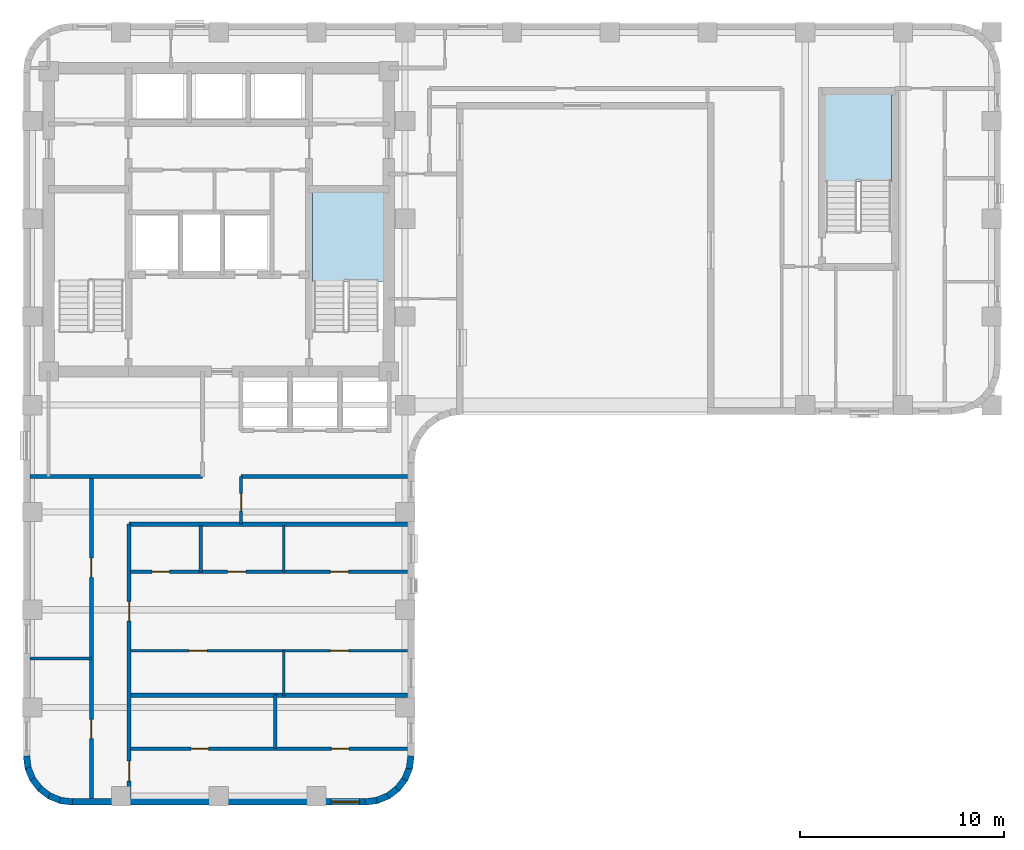
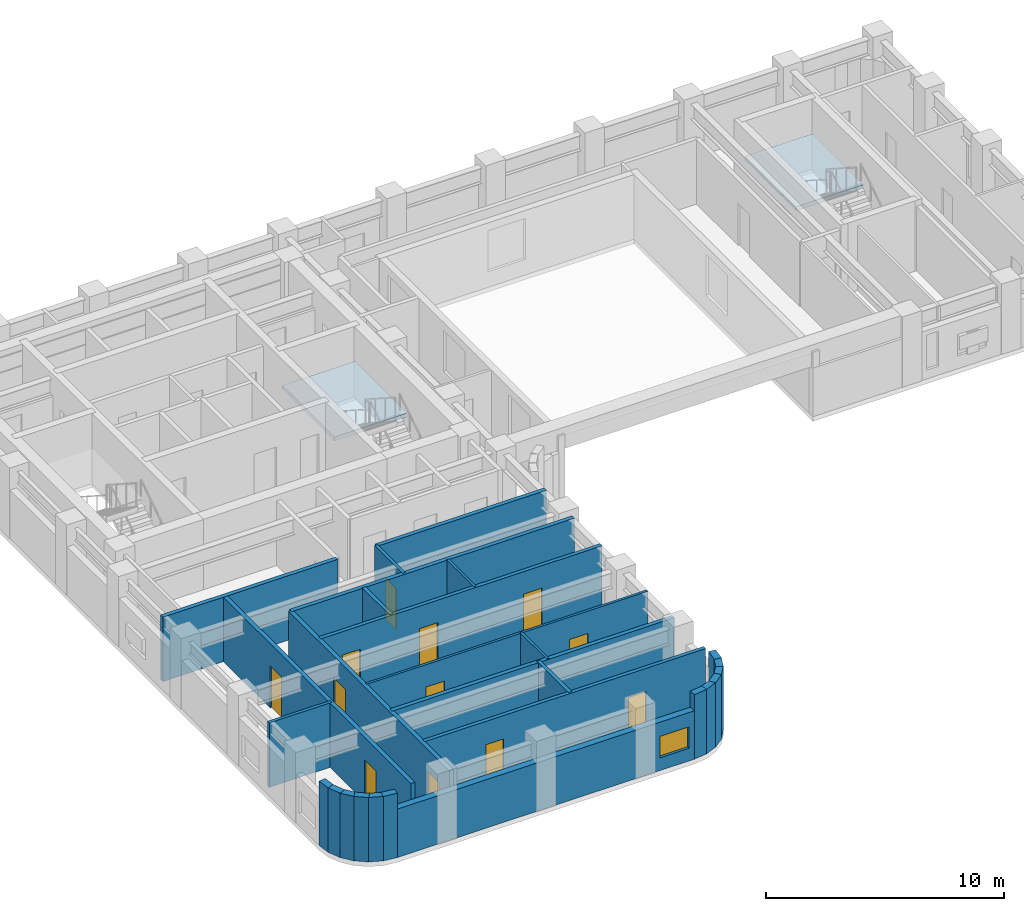
# One storey, part 2 of 9: 28 walls, 12 doors, 2 slabs, 1 window, 13 openings, 2 elements without a shape of their own.
"""IFC4 building model written with IfcOpenShell, lengths in metres."""

from ifc_helpers import new_model, si_unit, direction, frame, frame_2d, origin, place, context, subcontext, project, spatial, polyline, rectangle, outline, extrude, material, layer, layer_set, type_object, element, fill, aggregate, save


model = new_model("IFC4")

# Units and contexts
model_context = context("Model", 3, precision=1e-05, world=origin(), true_north=direction((0.0, 1.0)))
body_context = subcontext(model_context, "Body", "Model", "MODEL_VIEW")
ifc_project = project(units=[si_unit("LENGTHUNIT", "METRE"), si_unit("AREAUNIT", "SQUARE_METRE"), si_unit("VOLUMEUNIT", "CUBIC_METRE"), si_unit("PLANEANGLEUNIT", "RADIAN"), si_unit("MASSUNIT", "GRAM", prefix="KILO")], contexts=[model_context])

# Site, building, storey
site_placement = place(None, origin())
site = spatial("IfcSite", under=ifc_project, at=site_placement, CompositionType="ELEMENT")
building_placement = place(site_placement, origin())
building = spatial("IfcBuilding", under=site, at=building_placement, Name="Orvandelia Arch Residences", CompositionType="ELEMENT")
storey_placement = place(building_placement, frame((0.0, 0.0, 190.0)))
storey = spatial("IfcBuildingStorey", under=building, at=storey_placement, Name="L50", CompositionType="ELEMENT", Elevation=190.0)

# Stair, slab
ifc_material_1 = material(Name="Concrete C40/50", Category="concrete")
stair_type = type_object("IfcStairType", Name="STAIR-RC-DOGLEG", PredefinedType="HALF_TURN_STAIR", material=ifc_material_1)
stair_1_placement = place(storey_placement, origin())
stair_1 = element("IfcStair", 1, at=stair_1_placement, inside=storey, type_object=stair_type, Name="L50 Protected Exit Stair ST-2", PredefinedType="HALF_TURN_STAIR")
ifc_layer_1 = layer(ifc_material_1, 0.219970703125, Name="Concrete C40/50", Category="concrete")
ifc_layer_set_1 = layer_set([ifc_layer_1], Name="Concrete C40/50")
slab_type = type_object("IfcSlabType", Name="SLB-LANDING-220", PredefinedType="LANDING", material=ifc_layer_set_1)
slab_1_placement = place(storey_placement, frame((0.0, 0.0, 1.60009765625)))
slab_1 = element("IfcSlab", 2, at=slab_1_placement, type_object=slab_type, Name="ST-2 landing 1", PredefinedType="LANDING", context=body_context, shape_type="SweptSolid", body=[
    extrude(outline(polyline([(22.5400390625, 35.31005859375), (22.5400390625, 39.68994140625), (19.0, 39.68994140625), (19.0, 35.31005859375), (22.5400390625, 35.31005859375)])), origin(), (0.0, 0.0, 1.0), 0.199951171875),
])
aggregate(stair_1, [slab_1])

stair_2_placement = place(storey_placement, origin())
stair_2 = element("IfcStair", 3, at=stair_2_placement, inside=storey, type_object=stair_type, Name="L50 East Wing Exit Stair ST-3", PredefinedType="HALF_TURN_STAIR")
slab_2_placement = place(storey_placement, frame((0.0, 0.0, 1.60009765625)))
slab_2 = element("IfcSlab", 4, at=slab_2_placement, type_object=slab_type, Name="ST-3 landing 1", PredefinedType="LANDING", context=body_context, shape_type="SweptSolid", body=[
    extrude(outline(polyline([(47.43994140625, 40.2099609375), (47.43994140625, 44.5), (44.179931640625, 44.5), (44.179931640625, 40.2099609375), (47.43994140625, 40.2099609375)])), origin(), (0.0, 0.0, 1.0), 0.199951171875),
])
aggregate(stair_2, [slab_2])

# Wall, openings, doors
ifc_material_2 = material(Name="Fire-Rated Corridor Partition")
ifc_layer_2 = layer(ifc_material_2, 0.199951171875, Name="Fire-Rated Corridor Partition")
ifc_layer_set_2 = layer_set([ifc_layer_2], Name="Fire-Rated Corridor Partition")
wall_type_1 = type_object("IfcWallType", Name="WL-CORR-200", PredefinedType="PARTITIONING", material=ifc_layer_set_2)
wall_1_placement = place(storey_placement, frame((8.14990234375, 9.919921875, 0.0), z_axis=(0.0, 0.0, 1.0), x_axis=(0.0, 1.0, 0.0)))
wall_1 = element("IfcWall", 5, at=wall_1_placement, inside=storey, type_object=wall_type_1, Name="Interior Partition Wall WL-L50-WC-W", PredefinedType="PARTITIONING", context=body_context, shape_type="SweptSolid", body=[
    extrude(rectangle(XDim=15.830078125, YDim=0.199951171875, at=frame_2d((7.9150390625, 0.0))), origin(), (0.0, 0.0, 1.0), 3.300048828125),
])
opening_1_placement = place(wall_1_placement, frame((2.949951171875, 0.0, 0.0)))
opening_1 = element("IfcOpeningElement", 6, at=opening_1_placement, cuts=wall_1, Name="Opening D2", PredefinedType="OPENING", context=body_context, shape_type="SweptSolid", body=[
    extrude(rectangle(XDim=0.949951171875, YDim=2.14990234375, at=frame_2d((0.47509765625, 1.074951171875))), frame((0.0, 0.10986328125, 0.0), z_axis=(0.0, -1.0, 0.0), x_axis=(1.0, 0.0, 0.0)), (0.0, 0.0, 1.0), 0.219970703125),
])
opening_2_placement = place(wall_1_placement, frame((10.8701171875, 0.0, 0.0)))
opening_2 = element("IfcOpeningElement", 7, at=opening_2_placement, cuts=wall_1, Name="Opening D2", PredefinedType="OPENING", context=body_context, shape_type="SweptSolid", body=[
    extrude(rectangle(XDim=0.949951171875, YDim=2.14990234375, at=frame_2d((0.47509765625, 1.074951171875))), frame((0.0, 0.10986328125, 0.0), z_axis=(0.0, -1.0, 0.0), x_axis=(1.0, 0.0, 0.0)), (0.0, 0.0, 1.0), 0.219970703125),
])
ifc_material_3 = material(Name="Solid-Core Timber Interior Fire Door", Category="wood")
door_type_1 = type_object("IfcDoorType", Name="DR-APT-950", OperationType="NOTDEFINED", PredefinedType="DOOR", material=ifc_material_3)
door_1_placement = place(opening_1_placement, origin())
door_1 = element("IfcDoor", 8, at=door_1_placement, inside=storey, type_object=door_type_1, Name="DR-L50-WGRM-1", OperationType="SINGLE_SWING_LEFT", OverallHeight=2.14990234375, OverallWidth=0.949951171875, PredefinedType="DOOR", context=body_context, shape_type="SweptSolid", body=[
    extrude(rectangle(XDim=0.949951171875, YDim=2.14990234375, at=frame_2d((0.47509765625, 1.074951171875))), frame((0.0, 0.02490234375, 0.0), z_axis=(0.0, -1.0, 0.0), x_axis=(1.0, 0.0, 0.0)), (0.0, 0.0, 1.0), 0.050048828125),
])
fill(opening_1, door_1)
door_2_placement = place(opening_2_placement, origin())
door_2 = element("IfcDoor", 9, at=door_2_placement, inside=storey, type_object=door_type_1, Name="DR-L50-WGRM-2", OperationType="SINGLE_SWING_RIGHT", OverallHeight=2.14990234375, OverallWidth=0.949951171875, PredefinedType="DOOR", context=body_context, shape_type="SweptSolid", body=[
    extrude(rectangle(XDim=0.949951171875, YDim=2.14990234375, at=frame_2d((0.47509765625, 1.074951171875))), frame((0.0, 0.02490234375, 0.0), z_axis=(0.0, -1.0, 0.0), x_axis=(1.0, 0.0, 0.0)), (0.0, 0.0, 1.0), 0.050048828125),
])
fill(opening_2, door_2)

wall_2_placement = place(storey_placement, frame((10.0, 9.919921875, 0.0), z_axis=(0.0, 0.0, 1.0), x_axis=(0.0, 1.0, 0.0)))
wall_2 = element("IfcWall", 10, at=wall_2_placement, inside=storey, type_object=wall_type_1, Name="Interior Partition Wall WL-L50-WC-E", PredefinedType="PARTITIONING", context=body_context, shape_type="SweptSolid", body=[
    extrude(rectangle(XDim=13.47998046875, YDim=0.199951171875, at=frame_2d((6.739990234375, 0.0))), origin(), (0.0, 0.0, 1.0), 3.300048828125),
])
opening_3_placement = place(wall_2_placement, frame((0.867919921875, 0.0, 0.0)))
opening_3 = element("IfcOpeningElement", 11, at=opening_3_placement, cuts=wall_2, Name="Opening D1", PredefinedType="OPENING", context=body_context, shape_type="SweptSolid", body=[
    extrude(rectangle(XDim=0.97998046875, YDim=2.179931640625, at=frame_2d((0.489990234375, 1.08984375))), frame((0.0, 0.10986328125, 0.0), z_axis=(0.0, -1.0, 0.0), x_axis=(1.0, 0.0, 0.0)), (0.0, 0.0, 1.0), 0.219970703125),
])
opening_4_placement = place(wall_2_placement, frame((8.716064453125, 0.0, 0.0)))
opening_4 = element("IfcOpeningElement", 12, at=opening_4_placement, cuts=wall_2, Name="Opening D1", PredefinedType="OPENING", context=body_context, shape_type="SweptSolid", body=[
    extrude(rectangle(XDim=0.97998046875, YDim=2.179931640625, at=frame_2d((0.489990234375, 1.08984375))), frame((0.0, 0.10986328125, 0.0), z_axis=(0.0, -1.0, 0.0), x_axis=(1.0, 0.0, 0.0)), (0.0, 0.0, 1.0), 0.219970703125),
])
ifc_material_4 = material(Name="Solid-Core Timber Acoustic Fire Door", Category="wood")
door_type_2 = type_object("IfcDoorType", Name="DR-ENT-980", OperationType="NOTDEFINED", PredefinedType="DOOR", material=ifc_material_4)
door_3_placement = place(opening_3_placement, origin())
door_3 = element("IfcDoor", 13, at=door_3_placement, inside=storey, type_object=door_type_2, Name="Unit L50-01 Entrance Door", OperationType="SINGLE_SWING_LEFT", OverallHeight=2.179931640625, OverallWidth=0.97998046875, PredefinedType="DOOR", context=body_context, shape_type="SweptSolid", body=[
    extrude(rectangle(XDim=0.97998046875, YDim=2.179931640625, at=frame_2d((0.489990234375, 1.08984375))), frame((0.0, 0.02490234375, 0.0), z_axis=(0.0, -1.0, 0.0), x_axis=(1.0, 0.0, 0.0)), (0.0, 0.0, 1.0), 0.050048828125),
])
fill(opening_3, door_3)
door_4_placement = place(opening_4_placement, origin())
door_4 = element("IfcDoor", 14, at=door_4_placement, inside=storey, type_object=door_type_2, Name="Unit L50-02 Entrance Door", OperationType="SINGLE_SWING_RIGHT", OverallHeight=2.179931640625, OverallWidth=0.97998046875, PredefinedType="DOOR", context=body_context, shape_type="SweptSolid", body=[
    extrude(rectangle(XDim=0.97998046875, YDim=2.179931640625, at=frame_2d((0.489990234375, 1.08984375))), frame((0.0, 0.02490234375, 0.0), z_axis=(0.0, -1.0, 0.0), x_axis=(1.0, 0.0, 0.0)), (0.0, 0.0, 1.0), 0.050048828125),
])
fill(opening_4, door_4)

# Walls
wall_3_placement = place(storey_placement, frame((10.0, 23.39990234375, 0.0), z_axis=(0.0, 0.0, 1.0), x_axis=(1.0, 0.0, 0.0)))
element("IfcWall", 15, at=wall_3_placement, inside=storey, type_object=wall_type_1, Name="Interior Partition Wall WL-L50-WLNK-S", PredefinedType="PARTITIONING", context=body_context, shape_type="SweptSolid", body=[
    extrude(rectangle(XDim=13.679931640625, YDim=0.199951171875, at=frame_2d((6.83984375, 0.0))), origin(), (0.0, 0.0, 1.0), 3.300048828125),
])
wall_4_placement = place(storey_placement, frame((5.1201171875, 25.75, 0.0), z_axis=(0.0, 0.0, 1.0), x_axis=(1.0, 0.0, 0.0)))
element("IfcWall", 16, at=wall_4_placement, inside=storey, type_object=wall_type_1, Name="Interior Partition Wall WL-L50-WLNK-N", PredefinedType="PARTITIONING", context=body_context, shape_type="SweptSolid", body=[
    extrude(rectangle(XDim=8.47998046875, YDim=0.199951171875, at=frame_2d((4.239990234375, 0.0))), origin(), (0.0, 0.0, 1.0), 3.300048828125),
])
wall_5_placement = place(storey_placement, frame((15.5, 25.75, 0.0), z_axis=(0.0, 0.0, 1.0), x_axis=(1.0, 0.0, 0.0)))
element("IfcWall", 17, at=wall_5_placement, inside=storey, type_object=wall_type_1, Name="Interior Partition Wall WL-L50-WLNK-NE2", PredefinedType="PARTITIONING", context=body_context, shape_type="SweptSolid", body=[
    extrude(rectangle(XDim=8.179931640625, YDim=0.199951171875, at=frame_2d((4.08984375, 0.0))), origin(), (0.0, 0.0, 1.0), 3.300048828125),
])
ifc_layer_3 = layer(ifc_material_1, 0.199951171875, Name="Concrete C40/50", Category="concrete")
ifc_layer_set_3 = layer_set([ifc_layer_3], Name="Concrete C40/50")
wall_type_2 = type_object("IfcWallType", Name="WL-DEM-200", PredefinedType="SOLIDWALL", material=ifc_layer_set_3)
wall_6_placement = place(storey_placement, frame((10.0, 15.0, 0.0), z_axis=(0.0, 0.0, 1.0), x_axis=(1.0, 0.0, 0.0)))
element("IfcWall", 18, at=wall_6_placement, inside=storey, type_object=wall_type_2, Name="Interior Partition Wall WL-L50-DEM-WR-150", PredefinedType="SOLIDWALL", context=body_context, shape_type="SweptSolid", body=[
    extrude(rectangle(XDim=13.679931640625, YDim=0.199951171875, at=frame_2d((6.83984375, 0.0))), origin(), (0.0, 0.0, 1.0), 3.300048828125),
])
ifc_material_5 = material(Name="Precast concrete C40/50", Category="concrete")
ifc_layer_4 = layer(ifc_material_5, 0.320068359375, Name="Precast concrete C40/50", Category="concrete")
ifc_layer_set_4 = layer_set([ifc_layer_4], Name="Precast concrete C40/50")
wall_type_3 = type_object("IfcWallType", Name="WL-EXT-STONE-320", PredefinedType="STANDARD", material=ifc_layer_set_4)
wall_7_placement = place(storey_placement, frame((23.84130859375, 12.02099609375, 0.0), z_axis=(0.0, 0.0, 1.0), x_axis=(-0.130504898859, -0.991447664465, 0.0)))
element("IfcWall", 19, at=wall_7_placement, inside=storey, type_object=wall_type_3, Name="Coral-Limestone Precast Facade Wall L50-032", PredefinedType="STANDARD", context=body_context, shape_type="SweptSolid", body=[
    extrude(rectangle(XDim=0.626708984375, YDim=0.320068359375, at=frame_2d((0.3134765625, 0.0))), origin(), (0.0, 0.0, 1.0), 3.300048828125),
])
for number, where, z_axis, x_axis, name in (
    (20, (23.7705078125, 11.43994140625, 0.0), (0.0, 0.0, 1.0), (-0.382650053678, -0.92389335771, 0.0), "Coral-Limestone Precast Facade Wall L50-033"),
    (21, (23.551513671875, 10.8974609375, 0.0), (0.0, 0.0, 1.0), (-0.608693302629, -0.793405610854, 0.0), "Coral-Limestone Precast Facade Wall L50-034"),
    (22, (23.19970703125, 10.4296875, 0.0), (0.0, 0.0, 1.0), (-0.793405610854, -0.608693302629, 0.0), "Coral-Limestone Precast Facade Wall L50-035"),
    (23, (22.73876953125, 10.0693359375, 0.0), (0.0, 0.0, 1.0), (-0.92389335771, -0.382650053678, 0.0), "Coral-Limestone Precast Facade Wall L50-036"),
    (24, (22.2001953125, 9.84033203125, 0.0), (0.0, 0.0, 1.0), (-0.9914410257, -0.130555323746, 0.0), "Coral-Limestone Precast Facade Wall L50-037"),
):
    element("IfcWall", number, at=place(storey_placement, frame(where, z_axis=z_axis, x_axis=x_axis)), inside=storey, type_object=wall_type_3, Name=name, PredefinedType="STANDARD", context=body_context, shape_type="SweptSolid", body=[
        extrude(rectangle(XDim=0.62646484375, YDim=0.320068359375, at=frame_2d((0.313232421875, 0.0))), origin(), (0.0, 0.0, 1.0), 3.300048828125),
    ])

# Wall, opening, window
wall_8_placement = place(storey_placement, frame((21.60009765625, 9.760009765625, 0.0), z_axis=(0.0, 0.0, 1.0), x_axis=(-1.0, 0.0, 0.0)))
wall_8 = element("IfcWall", 25, at=wall_8_placement, inside=storey, type_object=wall_type_3, Name="Coral-Limestone Precast Facade Wall L50-038", PredefinedType="STANDARD", context=body_context, shape_type="SweptSolid", body=[
    extrude(rectangle(XDim=14.400146484375, YDim=0.320068359375, at=frame_2d((7.2001953125, 0.0))), origin(), (0.0, 0.0, 1.0), 2.47998046875),
])
opening_5_placement = place(wall_8_placement, frame((0.282470703125, 0.0, 0.64990234375)))
opening_5 = element("IfcOpeningElement", 26, at=opening_5_placement, cuts=wall_8, Name="Opening W10", PredefinedType="OPENING", context=body_context, shape_type="SweptSolid", body=[
    extrude(rectangle(XDim=1.39990234375, YDim=1.10009765625, at=frame_2d((0.699951171875, 0.550048828125))), frame((0.0, 0.169921875, 0.0), z_axis=(0.0, -1.0, 0.0), x_axis=(1.0, 0.0, 0.0)), (0.0, 0.0, 1.0), 0.340087890625),
])
ifc_material_6 = material(Name="Tempered Low-E Insulated Glazing", Category="glass")
window_type = type_object("IfcWindowType", Name="WIN-CLR-1400x1100", PartitioningType="SINGLE_PANEL", PredefinedType="WINDOW", material=ifc_material_6)
window_placement = place(opening_5_placement, origin())
window = element("IfcWindow", 27, at=window_placement, inside=storey, type_object=window_type, Name="Recessed Punched Window L50-020", OverallHeight=1.10009765625, OverallWidth=1.39990234375, PartitioningType="SINGLE_PANEL", PredefinedType="WINDOW", context=body_context, shape_type="SweptSolid", body=[
    extrude(rectangle(XDim=1.39990234375, YDim=1.10009765625, at=frame_2d((0.699951171875, 0.550048828125))), frame((0.0, 0.030029296875, 0.0), z_axis=(0.0, -1.0, 0.0), x_axis=(1.0, 0.0, 0.0)), (0.0, 0.0, 1.0), 0.06005859375),
])
fill(opening_5, window)

# Walls
wall_9_placement = place(storey_placement, frame((7.220947265625, 9.758544921875, 0.0), z_axis=(0.0, 0.0, 1.0), x_axis=(-0.991447664465, 0.130504898859, 0.0)))
element("IfcWall", 28, at=wall_9_placement, inside=storey, type_object=wall_type_3, Name="Coral-Limestone Precast Facade Wall L50-039", PredefinedType="STANDARD", context=body_context, shape_type="SweptSolid", body=[
    extrude(rectangle(XDim=0.626708984375, YDim=0.320068359375, at=frame_2d((0.3134765625, 0.0))), origin(), (0.0, 0.0, 1.0), 3.300048828125),
])
wall_10_placement = place(storey_placement, frame((6.639892578125, 9.82958984375, 0.0), z_axis=(0.0, 0.0, 1.0), x_axis=(-0.923836271867, 0.382787856107, 0.0)))
element("IfcWall", 29, at=wall_10_placement, inside=storey, type_object=wall_type_3, Name="Coral-Limestone Precast Facade Wall L50-040", PredefinedType="STANDARD", context=body_context, shape_type="SweptSolid", body=[
    extrude(rectangle(XDim=0.626220703125, YDim=0.320068359375, at=frame_2d((0.31298828125, 0.0))), origin(), (0.0, 0.0, 1.0), 3.300048828125),
])
wall_11_placement = place(storey_placement, frame((6.097412109375, 10.04833984375, 0.0), z_axis=(0.0, 0.0, 1.0), x_axis=(-0.793405610854, 0.608693302629, 0.0)))
element("IfcWall", 30, at=wall_11_placement, inside=storey, type_object=wall_type_3, Name="Coral-Limestone Precast Facade Wall L50-041", PredefinedType="STANDARD", context=body_context, shape_type="SweptSolid", body=[
    extrude(rectangle(XDim=0.62646484375, YDim=0.320068359375, at=frame_2d((0.313232421875, 0.0))), origin(), (0.0, 0.0, 1.0), 3.300048828125),
])
wall_12_placement = place(storey_placement, frame((5.6298828125, 10.400390625, 0.0), z_axis=(0.0, 0.0, 1.0), x_axis=(-0.608938521285, 0.7932174212, 0.0)))
element("IfcWall", 31, at=wall_12_placement, inside=storey, type_object=wall_type_3, Name="Coral-Limestone Precast Facade Wall L50-042", PredefinedType="STANDARD", context=body_context, shape_type="SweptSolid", body=[
    extrude(rectangle(XDim=0.626708984375, YDim=0.320068359375, at=frame_2d((0.3134765625, 0.0))), origin(), (0.0, 0.0, 1.0), 3.300048828125),
])
wall_13_placement = place(storey_placement, frame((5.269287109375, 10.861083984375, 0.0), z_axis=(0.0, 0.0, 1.0), x_axis=(-0.382650053678, 0.92389335771, 0.0)))
element("IfcWall", 32, at=wall_13_placement, inside=storey, type_object=wall_type_3, Name="Coral-Limestone Precast Facade Wall L50-043", PredefinedType="STANDARD", context=body_context, shape_type="SweptSolid", body=[
    extrude(rectangle(XDim=0.62646484375, YDim=0.320068359375, at=frame_2d((0.313232421875, 0.0))), origin(), (0.0, 0.0, 1.0), 3.300048828125),
])
wall_14_placement = place(storey_placement, frame((5.040283203125, 11.399658203125, 0.0), z_axis=(0.0, 0.0, 1.0), x_axis=(-0.130504898859, 0.991447664465, 0.0)))
element("IfcWall", 33, at=wall_14_placement, inside=storey, type_object=wall_type_3, Name="Coral-Limestone Precast Facade Wall L50-044", PredefinedType="STANDARD", context=body_context, shape_type="SweptSolid", body=[
    extrude(rectangle(XDim=0.626708984375, YDim=0.320068359375, at=frame_2d((0.3134765625, 0.0))), origin(), (0.0, 0.0, 1.0), 3.300048828125),
])

# Wall, openings, doors
ifc_material_7 = material(Name="Lightweight Gypsum Stud Partition")
ifc_layer_5 = layer(ifc_material_7, 0.1201171875, Name="Lightweight Gypsum Stud Partition")
ifc_layer_set_5 = layer_set([ifc_layer_5], Name="Lightweight Gypsum Stud Partition")
wall_type_4 = type_object("IfcWallType", Name="WL-PART-120", PredefinedType="PARTITIONING", material=ifc_layer_set_5)
wall_15_placement = place(storey_placement, frame((10.06005859375, 17.19189453125, 0.0), z_axis=(0.0, 0.0, 1.0), x_axis=(1.0, 0.0, 0.0)))
wall_15 = element("IfcWall", 34, at=wall_15_placement, inside=storey, type_object=wall_type_4, Name="Interior Partition Wall WL-L50-U02-HB", PredefinedType="PARTITIONING", context=body_context, shape_type="SweptSolid", body=[
    extrude(rectangle(XDim=13.619873046875, YDim=0.1201171875, at=frame_2d((6.81005859375, 0.0))), origin(), (0.0, 0.0, 1.0), 3.300048828125),
])
opening_6_placement = place(wall_15_placement, frame((2.868408203125, 0.0, 0.0)))
opening_6 = element("IfcOpeningElement", 35, at=opening_6_placement, cuts=wall_15, Name="Opening D3", PredefinedType="OPENING", context=body_context, shape_type="SweptSolid", body=[
    extrude(rectangle(XDim=0.89990234375, YDim=2.14990234375, at=frame_2d((0.449951171875, 1.074951171875))), frame((0.0, 0.070068359375, 0.0), z_axis=(0.0, -1.0, 0.0), x_axis=(1.0, 0.0, 0.0)), (0.0, 0.0, 1.0), 0.14013671875),
])
opening_7_placement = place(wall_15_placement, frame((9.82177734375, 0.0, 0.0)))
opening_7 = element("IfcOpeningElement", 36, at=opening_7_placement, cuts=wall_15, Name="Opening D3", PredefinedType="OPENING", context=body_context, shape_type="SweptSolid", body=[
    extrude(rectangle(XDim=0.89990234375, YDim=2.14990234375, at=frame_2d((0.449951171875, 1.074951171875))), frame((0.0, 0.070068359375, 0.0), z_axis=(0.0, -1.0, 0.0), x_axis=(1.0, 0.0, 0.0)), (0.0, 0.0, 1.0), 0.14013671875),
])
ifc_material_8 = material(Name="Engineered Timber Flush Door", Category="wood")
door_type_3 = type_object("IfcDoorType", Name="DR-INT-900", OperationType="NOTDEFINED", PredefinedType="DOOR", material=ifc_material_8)
door_5_placement = place(opening_6_placement, origin())
door_5 = element("IfcDoor", 37, at=door_5_placement, inside=storey, type_object=door_type_3, Name="DR-L50-U02-STDY", OperationType="SINGLE_SWING_RIGHT", OverallHeight=2.14990234375, OverallWidth=0.89990234375, PredefinedType="DOOR", context=body_context, shape_type="SweptSolid", body=[
    extrude(rectangle(XDim=0.89990234375, YDim=2.14990234375, at=frame_2d((0.449951171875, 1.074951171875))), frame((0.0, 0.02490234375, 0.0), z_axis=(0.0, -1.0, 0.0), x_axis=(1.0, 0.0, 0.0)), (0.0, 0.0, 1.0), 0.050048828125),
])
fill(opening_6, door_5)
door_6_placement = place(opening_7_placement, origin())
door_6 = element("IfcDoor", 38, at=door_6_placement, inside=storey, type_object=door_type_3, Name="DR-L50-U02-BD2", OperationType="SINGLE_SWING_LEFT", OverallHeight=2.14990234375, OverallWidth=0.89990234375, PredefinedType="DOOR", context=body_context, shape_type="SweptSolid", body=[
    extrude(rectangle(XDim=0.89990234375, YDim=2.14990234375, at=frame_2d((0.449951171875, 1.074951171875))), frame((0.0, 0.02490234375, 0.0), z_axis=(0.0, -1.0, 0.0), x_axis=(1.0, 0.0, 0.0)), (0.0, 0.0, 1.0), 0.050048828125),
])
fill(opening_7, door_6)

# Walls
wall_16_placement = place(storey_placement, frame((17.583984375, 14.9599609375, 0.0), z_axis=(0.0, 0.0, 1.0), x_axis=(0.0, 1.0, 0.0)))
element("IfcWall", 39, at=wall_16_placement, inside=storey, type_object=wall_type_4, Name="Interior Partition Wall WL-L50-U02-VB", PredefinedType="PARTITIONING", context=body_context, shape_type="SweptSolid", body=[
    extrude(rectangle(XDim=2.23193359375, YDim=0.1201171875, at=frame_2d((1.115966796875, 0.0))), origin(), (0.0, 0.0, 1.0), 3.300048828125),
])
wall_17_placement = place(storey_placement, frame((17.583984375, 21.06005859375, 0.0), z_axis=(0.0, 0.0, 1.0), x_axis=(0.0, 1.0, 0.0)))
element("IfcWall", 40, at=wall_17_placement, inside=storey, type_object=wall_type_4, Name="Interior Partition Wall WL-L50-U02-V2", PredefinedType="PARTITIONING", context=body_context, shape_type="SweptSolid", body=[
    extrude(rectangle(XDim=2.280029296875, YDim=0.1201171875, at=frame_2d((1.14013671875, 0.0))), origin(), (0.0, 0.0, 1.0), 3.300048828125),
])

# Wall, opening, door
ifc_material_9 = material(Name="Acoustic Gypsum Stud Partition")
ifc_layer_6 = layer(ifc_material_9, 0.14990234375, Name="Acoustic Gypsum Stud Partition")
ifc_layer_set_6 = layer_set([ifc_layer_6], Name="Acoustic Gypsum Stud Partition")
wall_type_5 = type_object("IfcWallType", Name="WL-PART-150", PredefinedType="PARTITIONING", material=ifc_layer_set_6)
wall_18_placement = place(storey_placement, frame((15.5, 23.39990234375, 0.0), z_axis=(0.0, 0.0, 1.0), x_axis=(0.0, 1.0, 0.0)))
wall_18 = element("IfcWall", 41, at=wall_18_placement, inside=storey, type_object=wall_type_5, Name="Interior Partition Wall WL-L50-WLNK-E", PredefinedType="PARTITIONING", context=body_context, shape_type="SweptSolid", body=[
    extrude(rectangle(XDim=2.35009765625, YDim=0.14990234375, at=frame_2d((1.175048828125, 0.0))), origin(), (0.0, 0.0, 1.0), 3.300048828125),
])
opening_8_placement = place(wall_18_placement, frame((0.64990234375, 0.0, 0.0)))
opening_8 = element("IfcOpeningElement", 42, at=opening_8_placement, cuts=wall_18, Name="Opening D4", PredefinedType="OPENING", context=body_context, shape_type="SweptSolid", body=[
    extrude(rectangle(XDim=0.860107421875, YDim=2.10009765625, at=frame_2d((0.43017578125, 1.050048828125))), frame((0.0, 0.0849609375, 0.0), z_axis=(0.0, -1.0, 0.0), x_axis=(1.0, 0.0, 0.0)), (0.0, 0.0, 1.0), 0.169921875),
])
ifc_material_10 = material(Name="Moisture-Sealed Timber Bathroom Door", Category="wood")
door_type_4 = type_object("IfcDoorType", Name="DR-WET-900", OperationType="NOTDEFINED", PredefinedType="DOOR", material=ifc_material_10)
door_7_placement = place(opening_8_placement, origin())
door_7 = element("IfcDoor", 43, at=door_7_placement, inside=storey, type_object=door_type_4, Name="DR-L50-WLNKST", OperationType="SINGLE_SWING_RIGHT", OverallHeight=2.10009765625, OverallWidth=0.860107421875, PredefinedType="DOOR", context=body_context, shape_type="SweptSolid", body=[
    extrude(rectangle(XDim=0.860107421875, YDim=2.10009765625, at=frame_2d((0.43017578125, 1.050048828125))), frame((0.0, 0.02490234375, 0.0), z_axis=(0.0, -1.0, 0.0), x_axis=(1.0, 0.0, 0.0)), (0.0, 0.0, 1.0), 0.050048828125),
])
fill(opening_8, door_7)

# Wall
wall_19_placement = place(storey_placement, frame((5.1201171875, 16.800048828125, 0.0), z_axis=(0.0, 0.0, 1.0), x_axis=(1.0, 0.0, 0.0)))
element("IfcWall", 44, at=wall_19_placement, inside=storey, type_object=wall_type_5, Name="Interior Partition Wall WL-L50-WGDIV-1", PredefinedType="PARTITIONING", context=body_context, shape_type="SweptSolid", body=[
    extrude(rectangle(XDim=3.02978515625, YDim=0.14990234375, at=frame_2d((1.514892578125, 0.0))), origin(), (0.0, 0.0, 1.0), 3.300048828125),
])

# Wall, openings, doors
ifc_material_11 = material(Name="Moisture-Resistant Plumbing Wall")
ifc_layer_7 = layer(ifc_material_11, 0.179931640625, Name="Moisture-Resistant Plumbing Wall")
ifc_layer_set_7 = layer_set([ifc_layer_7], Name="Moisture-Resistant Plumbing Wall")
wall_type_6 = type_object("IfcWallType", Name="WL-WET-180", PredefinedType="PLUMBINGWALL", material=ifc_layer_set_7)
wall_20_placement = place(storey_placement, frame((10.06005859375, 12.3759765625, 0.0), z_axis=(0.0, 0.0, 1.0), x_axis=(1.0, 0.0, 0.0)))
wall_20 = element("IfcWall", 45, at=wall_20_placement, inside=storey, type_object=wall_type_6, Name="Interior Partition Wall WL-L50-U01-HZ", PredefinedType="PLUMBINGWALL", context=body_context, shape_type="SweptSolid", body=[
    extrude(rectangle(XDim=13.619873046875, YDim=0.179931640625, at=frame_2d((6.81005859375, 0.0))), origin(), (0.0, 0.0, 1.0), 3.300048828125),
])
opening_9_placement = place(wall_20_placement, frame((2.98193359375, 0.0, 0.0)))
opening_9 = element("IfcOpeningElement", 46, at=opening_9_placement, cuts=wall_20, Name="Opening D4", PredefinedType="OPENING", context=body_context, shape_type="SweptSolid", body=[
    extrude(rectangle(XDim=0.860107421875, YDim=2.10009765625, at=frame_2d((0.43017578125, 1.050048828125))), frame((0.0, 0.10009765625, 0.0), z_axis=(0.0, -1.0, 0.0), x_axis=(1.0, 0.0, 0.0)), (0.0, 0.0, 1.0), 0.199951171875),
])
opening_10_placement = place(wall_20_placement, frame((9.8720703125, 0.0, 0.0)))
opening_10 = element("IfcOpeningElement", 47, at=opening_10_placement, cuts=wall_20, Name="Opening D4", PredefinedType="OPENING", context=body_context, shape_type="SweptSolid", body=[
    extrude(rectangle(XDim=0.860107421875, YDim=2.10009765625, at=frame_2d((0.43017578125, 1.050048828125))), frame((0.0, 0.10009765625, 0.0), z_axis=(0.0, -1.0, 0.0), x_axis=(1.0, 0.0, 0.0)), (0.0, 0.0, 1.0), 0.199951171875),
])
door_8_placement = place(opening_9_placement, origin())
door_8 = element("IfcDoor", 48, at=door_8_placement, inside=storey, type_object=door_type_4, Name="DR-L50-U01-KIT", OperationType="SINGLE_SWING_LEFT", OverallHeight=2.10009765625, OverallWidth=0.860107421875, PredefinedType="DOOR", context=body_context, shape_type="SweptSolid", body=[
    extrude(rectangle(XDim=0.860107421875, YDim=2.10009765625, at=frame_2d((0.43017578125, 1.050048828125))), frame((0.0, 0.02490234375, 0.0), z_axis=(0.0, -1.0, 0.0), x_axis=(1.0, 0.0, 0.0)), (0.0, 0.0, 1.0), 0.050048828125),
])
fill(opening_9, door_8)
door_9_placement = place(opening_10_placement, origin())
door_9 = element("IfcDoor", 49, at=door_9_placement, inside=storey, type_object=door_type_4, Name="DR-L50-U01-BTH", OperationType="SINGLE_SWING_RIGHT", OverallHeight=2.10009765625, OverallWidth=0.860107421875, PredefinedType="DOOR", context=body_context, shape_type="SweptSolid", body=[
    extrude(rectangle(XDim=0.860107421875, YDim=2.10009765625, at=frame_2d((0.43017578125, 1.050048828125))), frame((0.0, 0.02490234375, 0.0), z_axis=(0.0, -1.0, 0.0), x_axis=(1.0, 0.0, 0.0)), (0.0, 0.0, 1.0), 0.050048828125),
])
fill(opening_10, door_9)

# Wall
wall_21_placement = place(storey_placement, frame((17.174072265625, 12.3759765625, 0.0), z_axis=(0.0, 0.0, 1.0), x_axis=(0.0, 1.0, 0.0)))
element("IfcWall", 50, at=wall_21_placement, inside=storey, type_object=wall_type_6, Name="Interior Partition Wall WL-L50-U01-V1", PredefinedType="PLUMBINGWALL", context=body_context, shape_type="SweptSolid", body=[
    extrude(rectangle(XDim=2.6640625, YDim=0.179931640625, at=frame_2d((1.33203125, 0.0))), origin(), (0.0, 0.0, 1.0), 3.300048828125),
])

# Wall, openings, doors
wall_22_placement = place(storey_placement, frame((10.06005859375, 21.06005859375, 0.0), z_axis=(0.0, 0.0, 1.0), x_axis=(1.0, 0.0, 0.0)))
wall_22 = element("IfcWall", 51, at=wall_22_placement, inside=storey, type_object=wall_type_6, Name="Interior Partition Wall WL-L50-U02-HZ", PredefinedType="PLUMBINGWALL", context=body_context, shape_type="SweptSolid", body=[
    extrude(rectangle(XDim=13.619873046875, YDim=0.179931640625, at=frame_2d((6.81005859375, 0.0))), origin(), (0.0, 0.0, 1.0), 3.300048828125),
])
opening_11_placement = place(wall_22_placement, frame((1.0625, 0.0, 0.0)))
opening_11 = element("IfcOpeningElement", 52, at=opening_11_placement, cuts=wall_22, Name="Opening D4", PredefinedType="OPENING", context=body_context, shape_type="SweptSolid", body=[
    extrude(rectangle(XDim=0.860107421875, YDim=2.10009765625, at=frame_2d((0.43017578125, 1.050048828125))), frame((0.0, 0.10009765625, 0.0), z_axis=(0.0, -1.0, 0.0), x_axis=(1.0, 0.0, 0.0)), (0.0, 0.0, 1.0), 0.199951171875),
])
opening_12_placement = place(wall_22_placement, frame((4.771728515625, 0.0, 0.0)))
opening_12 = element("IfcOpeningElement", 53, at=opening_12_placement, cuts=wall_22, Name="Opening D3", PredefinedType="OPENING", context=body_context, shape_type="SweptSolid", body=[
    extrude(rectangle(XDim=0.89990234375, YDim=2.14990234375, at=frame_2d((0.449951171875, 1.074951171875))), frame((0.0, 0.10009765625, 0.0), z_axis=(0.0, -1.0, 0.0), x_axis=(1.0, 0.0, 0.0)), (0.0, 0.0, 1.0), 0.199951171875),
])
opening_13_placement = place(wall_22_placement, frame((9.82177734375, 0.0, 0.0)))
opening_13 = element("IfcOpeningElement", 54, at=opening_13_placement, cuts=wall_22, Name="Opening D3", PredefinedType="OPENING", context=body_context, shape_type="SweptSolid", body=[
    extrude(rectangle(XDim=0.89990234375, YDim=2.14990234375, at=frame_2d((0.449951171875, 1.074951171875))), frame((0.0, 0.10009765625, 0.0), z_axis=(0.0, -1.0, 0.0), x_axis=(1.0, 0.0, 0.0)), (0.0, 0.0, 1.0), 0.199951171875),
])
door_10_placement = place(opening_12_placement, origin())
door_10 = element("IfcDoor", 55, at=door_10_placement, inside=storey, type_object=door_type_3, Name="DR-L50-U02-KIT", OperationType="SINGLE_SWING_RIGHT", OverallHeight=2.14990234375, OverallWidth=0.89990234375, PredefinedType="DOOR", context=body_context, shape_type="SweptSolid", body=[
    extrude(rectangle(XDim=0.89990234375, YDim=2.14990234375, at=frame_2d((0.449951171875, 1.074951171875))), frame((0.0, 0.02490234375, 0.0), z_axis=(0.0, -1.0, 0.0), x_axis=(1.0, 0.0, 0.0)), (0.0, 0.0, 1.0), 0.050048828125),
])
fill(opening_12, door_10)
door_11_placement = place(opening_13_placement, origin())
door_11 = element("IfcDoor", 56, at=door_11_placement, inside=storey, type_object=door_type_3, Name="DR-L50-U02-BD1", OperationType="SINGLE_SWING_LEFT", OverallHeight=2.14990234375, OverallWidth=0.89990234375, PredefinedType="DOOR", context=body_context, shape_type="SweptSolid", body=[
    extrude(rectangle(XDim=0.89990234375, YDim=2.14990234375, at=frame_2d((0.449951171875, 1.074951171875))), frame((0.0, 0.02490234375, 0.0), z_axis=(0.0, -1.0, 0.0), x_axis=(1.0, 0.0, 0.0)), (0.0, 0.0, 1.0), 0.050048828125),
])
fill(opening_13, door_11)
door_12_placement = place(opening_11_placement, origin())
door_12 = element("IfcDoor", 57, at=door_12_placement, inside=storey, type_object=door_type_4, Name="DR-L50-U02-BTH", OperationType="SINGLE_SWING_LEFT", OverallHeight=2.10009765625, OverallWidth=0.860107421875, PredefinedType="DOOR", context=body_context, shape_type="SweptSolid", body=[
    extrude(rectangle(XDim=0.860107421875, YDim=2.10009765625, at=frame_2d((0.43017578125, 1.050048828125))), frame((0.0, 0.02490234375, 0.0), z_axis=(0.0, -1.0, 0.0), x_axis=(1.0, 0.0, 0.0)), (0.0, 0.0, 1.0), 0.050048828125),
])
fill(opening_11, door_12)

# Wall
wall_23_placement = place(storey_placement, frame((13.52099609375, 21.06005859375, 0.0), z_axis=(0.0, 0.0, 1.0), x_axis=(0.0, 1.0, 0.0)))
element("IfcWall", 58, at=wall_23_placement, inside=storey, type_object=wall_type_6, Name="Interior Partition Wall WL-L50-U02-V1", PredefinedType="PLUMBINGWALL", context=body_context, shape_type="SweptSolid", body=[
    extrude(rectangle(XDim=2.280029296875, YDim=0.179931640625, at=frame_2d((1.14013671875, 0.0))), origin(), (0.0, 0.0, 1.0), 3.300048828125),
])

save(model, "model.ifc")
